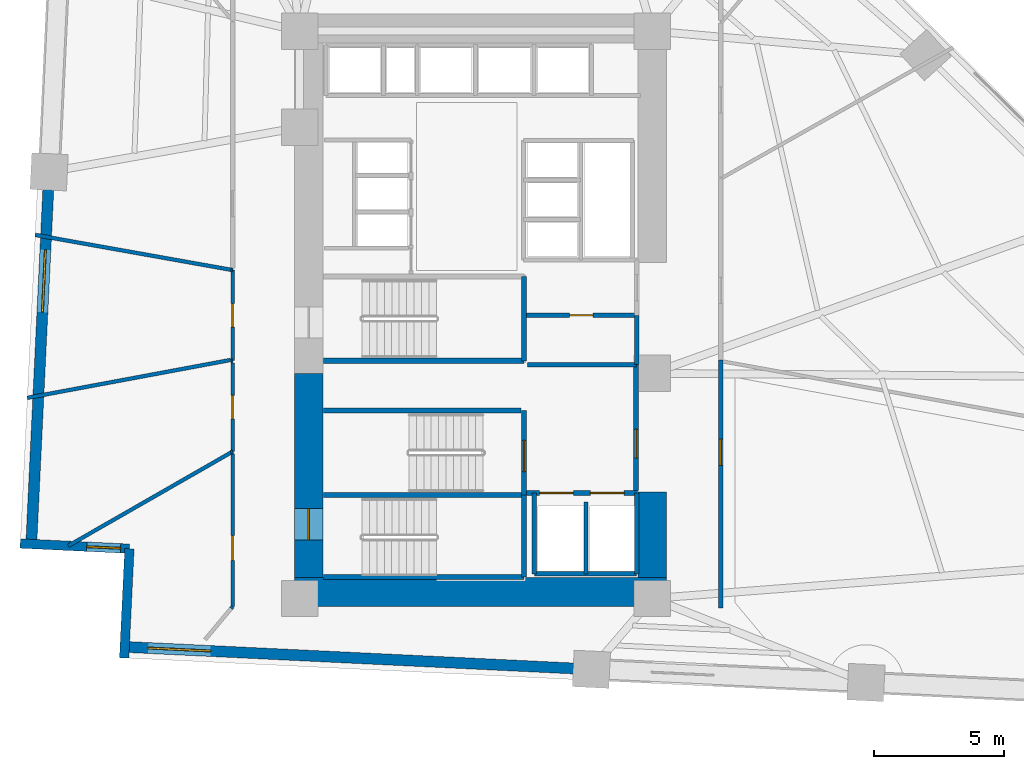
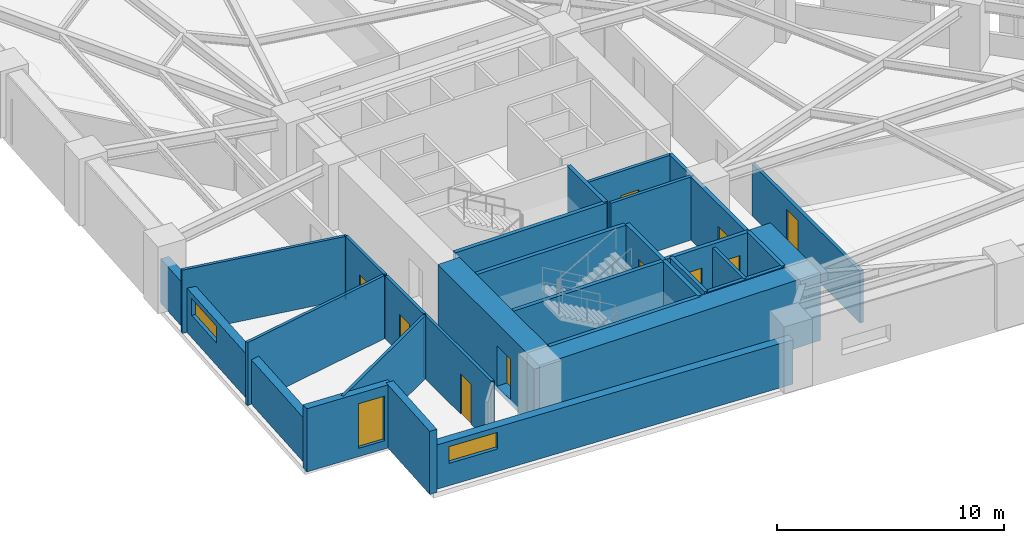
# One storey, part 13 of 17: 34 walls, 10 doors, 3 windows, 13 openings.
"""IFC4 building model written with IfcOpenShell, lengths in metres."""

from ifc_helpers import new_model, si_unit, direction, frame, frame_2d, origin, place, context, subcontext, project, spatial, rectangle, extrude, material, layer, layer_set, type_object, element, fill, save


model = new_model("IFC4")

# Units and contexts
model_context = context("Model", 3, precision=1e-05, world=origin(), true_north=direction((0.0, 1.0)))
body_context = subcontext(model_context, "Body", "Model", "MODEL_VIEW")
ifc_project = project(units=[si_unit("LENGTHUNIT", "METRE"), si_unit("AREAUNIT", "SQUARE_METRE"), si_unit("VOLUMEUNIT", "CUBIC_METRE"), si_unit("PLANEANGLEUNIT", "RADIAN"), si_unit("MASSUNIT", "GRAM", prefix="KILO")], contexts=[model_context])

# Site, building, storey
site_placement = place(None, origin())
site = spatial("IfcSite", under=ifc_project, at=site_placement, CompositionType="ELEMENT")
building_placement = place(site_placement, origin())
building = spatial("IfcBuilding", under=site, at=building_placement, Name="Narakoshi Arena Tower", CompositionType="ELEMENT")
storey_placement = place(building_placement, frame((0.0, 0.0, 37.5)))
storey = spatial("IfcBuildingStorey", under=building, at=storey_placement, Name="L09", CompositionType="ELEMENT", Elevation=37.5)

# Wall, opening, door
ifc_material_1 = material(Name="Concrete C60/75", Category="concrete")
ifc_layer_1 = layer(ifc_material_1, 1.10009765625)
ifc_layer_set_1 = layer_set([ifc_layer_1], Name="Concrete C60/75")
wall_type_1 = type_object("IfcWallType", Name="WL-CORE-1100", PredefinedType="SHEAR", material=ifc_layer_set_1)
wall_1_placement = place(storey_placement, frame((72.35009765625, 35.5, -0.260009765625), z_axis=(0.0, 0.0, 1.0), x_axis=(0.0, 1.0, 0.0)))
wall_1 = element("IfcWall", 1, at=wall_1_placement, inside=storey, type_object=wall_type_1, Name="L09 Central Core Shear Wall CW-APX-W", PredefinedType="SHEAR", context=body_context, shape_type="SweptSolid", body=[
    extrude(rectangle(XDim=7.85009765625, YDim=1.10009765625, at=frame_2d((3.925048828125, 0.0))), origin(), (0.0, 0.0, 1.0), 3.659912109375),
])
opening_1_placement = place(wall_1_placement, frame((1.449951171875, 0.0, 0.260009765625)))
opening_1 = element("IfcOpeningElement", 2, at=opening_1_placement, cuts=wall_1, Name="Opening D-03", PredefinedType="OPENING", context=body_context, shape_type="SweptSolid", body=[
    extrude(rectangle(XDim=1.199951171875, YDim=2.199951171875, at=frame_2d((0.60009765625, 1.10009765625))), frame((0.0, 0.56005859375, 0.0), z_axis=(0.0, -1.0, 0.0), x_axis=(1.0, 0.0, 0.0)), (0.0, 0.0, 1.0), 1.1201171875),
])
ifc_material_2 = material(Name="Painted galvanized steel", Category="steel")
door_type_1 = type_object("IfcDoorType", Name="DR-STR-1200", OperationType="NOTDEFINED", PredefinedType="USERDEFINED", material=ifc_material_2)
door_1_placement = place(opening_1_placement, frame((1.199951171875, 0.0, 0.0), z_axis=(0.0, 0.0, 1.0), x_axis=(-1.0, 0.0, 0.0)))
door_1 = element("IfcDoor", 3, at=door_1_placement, inside=storey, type_object=door_type_1, Name="DR-L09-002", ObjectType="EXITDOOR", OperationType="SINGLE_SWING_LEFT", OverallHeight=2.199951171875, OverallWidth=1.199951171875, PredefinedType="USERDEFINED", context=body_context, shape_type="SweptSolid", body=[
    extrude(rectangle(XDim=1.199951171875, YDim=2.199951171875, at=frame_2d((0.60009765625, 1.10009765625))), frame((0.0, 0.02490234375, 0.0), z_axis=(0.0, -1.0, 0.0), x_axis=(1.0, 0.0, 0.0)), (0.0, 0.0, 1.0), 0.050048828125),
])
fill(opening_1, door_1)

# Walls
wall_2_placement = place(storey_placement, frame((71.800048828125, 34.949951171875, -0.260009765625), z_axis=(0.0, 0.0, 1.0), x_axis=(1.0, 0.0, 0.0)))
element("IfcWall", 4, at=wall_2_placement, inside=storey, type_object=wall_type_1, Name="L09 Central Core Shear Wall CW-APX-S", PredefinedType="SHEAR", context=body_context, shape_type="SweptSolid", body=[
    extrude(rectangle(XDim=14.300048828125, YDim=1.10009765625, at=frame_2d((7.14990234375, 0.0))), origin(), (0.0, 0.0, 1.0), 3.659912109375),
])
wall_3_placement = place(storey_placement, frame((85.550048828125, 35.5, -0.260009765625), z_axis=(0.0, 0.0, 1.0), x_axis=(0.0, 1.0, 0.0)))
element("IfcWall", 5, at=wall_3_placement, inside=storey, type_object=wall_type_1, Name="L09 Central Core Shear Wall CW-APX-E", PredefinedType="SHEAR", context=body_context, shape_type="SweptSolid", body=[
    extrude(rectangle(XDim=3.300048828125, YDim=1.10009765625, at=frame_2d((1.64990234375, 0.0))), origin(), (0.0, 0.0, 1.0), 3.659912109375),
])

# Wall, opening, door
ifc_material_3 = material(Name="Gypsum plasterboard fire-rated partition")
ifc_layer_2 = layer(ifc_material_3, 0.1650390625)
ifc_layer_set_2 = layer_set([ifc_layer_2], Name="Gypsum plasterboard fire-rated partition")
wall_type_2 = type_object("IfcWallType", Name="WL-CORR-165", PredefinedType="PARTITIONING", material=ifc_layer_set_2)
wall_4_placement = place(storey_placement, frame((88.177978515625, 34.3427734375, 0.0), z_axis=(0.0, 0.0, 1.0), x_axis=(0.0, 1.0, 0.0)))
wall_4 = element("IfcWall", 6, at=wall_4_placement, inside=storey, type_object=wall_type_2, Name="L09 Corridor Partition 04-1", PredefinedType="PARTITIONING", context=body_context, shape_type="SweptSolid", body=[
    extrude(rectangle(XDim=9.515380859375, YDim=0.1650390625, at=frame_2d((4.7578125, 0.0))), origin(), (0.0, 0.0, 1.0), 2.784912109375),
])
opening_2_placement = place(wall_4_placement, frame((5.474853515625, 0.0, 0.0)))
opening_2 = element("IfcOpeningElement", 7, at=opening_2_placement, cuts=wall_4, Name="Opening D-06", PredefinedType="OPENING", context=body_context, shape_type="SweptSolid", body=[
    extrude(rectangle(XDim=1.0, YDim=2.199951171875, at=frame_2d((0.5, 1.10009765625))), frame((0.0, 0.092529296875, 0.0), z_axis=(0.0, -1.0, 0.0), x_axis=(1.0, 0.0, 0.0)), (0.0, 0.0, 1.0), 0.18505859375),
])
ifc_material_4 = material(Name="Stained oak solid-core timber", Category="wood")
door_type_2 = type_object("IfcDoorType", Name="DR-OFF-1000", OperationType="NOTDEFINED", PredefinedType="DOOR", material=ifc_material_4)
door_2_placement = place(opening_2_placement, frame((1.0, 0.0, 0.0), z_axis=(0.0, 0.0, 1.0), x_axis=(-1.0, 0.0, 0.0)))
door_2 = element("IfcDoor", 8, at=door_2_placement, inside=storey, type_object=door_type_2, Name="DR-L09-017", OperationType="SINGLE_SWING_RIGHT", OverallHeight=2.199951171875, OverallWidth=1.0, PredefinedType="DOOR", context=body_context, shape_type="SweptSolid", body=[
    extrude(rectangle(XDim=1.0, YDim=2.199951171875, at=frame_2d((0.5, 1.10009765625))), frame((0.0, 0.02490234375, 0.0), z_axis=(0.0, -1.0, 0.0), x_axis=(1.0, 0.0, 0.0)), (0.0, 0.0, 1.0), 0.050048828125),
])
fill(opening_2, door_2)

# Wall, opening, window
ifc_material_5 = material(Name="Precast concrete C45/55", Category="concrete")
ifc_layer_3 = layer(ifc_material_5, 0.419921875)
ifc_layer_set_3 = layer_set([ifc_layer_3], Name="Precast concrete C45/55")
wall_type_3 = type_object("IfcWallType", Name="WL-POD-420", PredefinedType="SOLIDWALL", material=ifc_layer_set_3)
wall_5_placement = place(storey_placement, frame((65.28076171875, 32.840576171875, 0.0), z_axis=(0.0, 0.0, 1.0), x_axis=(0.998848298084, -0.047979968897, 0.0)))
wall_5 = element("IfcWall", 9, at=wall_5_placement, inside=storey, type_object=wall_type_3, Name="L09 Architectural Concrete Facade Wall LEGA-1", PredefinedType="SOLIDWALL", context=body_context, shape_type="SweptSolid", body=[
    extrude(rectangle(XDim=17.951904296875, YDim=0.419921875, at=frame_2d((8.97607421875, 0.0))), origin(), (0.0, 0.0, 1.0), 2.385009765625),
])
opening_3_placement = place(wall_5_placement, frame((0.89990234375, 0.0, 1.199951171875)))
opening_3 = element("IfcOpeningElement", 10, at=opening_3_placement, cuts=wall_5, Name="Opening WN-01", PredefinedType="OPENING", context=body_context, shape_type="SweptSolid", body=[
    extrude(rectangle(XDim=2.39990234375, YDim=0.89990234375, at=frame_2d((1.199951171875, 0.449951171875))), frame((0.0, 0.219970703125, 0.0), z_axis=(0.0, -1.0, 0.0), x_axis=(1.0, 0.0, 0.0)), (0.0, 0.0, 1.0), 0.43994140625),
])
ifc_material_6 = material(Name="Bronze-tinted low-E laminated glass", Category="glass")
window_type_1 = type_object("IfcWindowType", Name="WIN-SLT-24x09", PartitioningType="SINGLE_PANEL", PredefinedType="WINDOW", material=ifc_material_6)
window_1_placement = place(opening_3_placement, origin())
window_1 = element("IfcWindow", 11, at=window_1_placement, inside=storey, type_object=window_type_1, Name="L09 LEGA1 Horizontal Slot Window 1", OverallHeight=0.89990234375, OverallWidth=2.39990234375, PartitioningType="SINGLE_PANEL", PredefinedType="WINDOW", context=body_context, shape_type="SweptSolid", body=[
    extrude(rectangle(XDim=2.39990234375, YDim=0.89990234375, at=frame_2d((1.199951171875, 0.449951171875))), frame((0.0, 0.030029296875, 0.0), z_axis=(0.0, -1.0, 0.0), x_axis=(1.0, 0.0, 0.0)), (0.0, 0.0, 1.0), 0.06005859375),
])
fill(opening_3, window_1)

wall_6_placement = place(storey_placement, frame((62.3779296875, 51.08984375, 0.0), z_axis=(0.0, 0.0, 1.0), x_axis=(-0.047978424452, -0.99884837227, 0.0)))
wall_6 = element("IfcWall", 12, at=wall_6_placement, inside=storey, type_object=wall_type_3, Name="L09 Architectural Concrete Facade Wall LEGB-3", PredefinedType="SOLIDWALL", context=body_context, shape_type="SweptSolid", body=[
    extrude(rectangle(XDim=14.314208984375, YDim=0.419921875, at=frame_2d((7.1572265625, 0.0))), origin(), (0.0, 0.0, 1.0), 2.385009765625),
])
opening_4_placement = place(wall_6_placement, frame((3.0, 0.0, 1.199951171875)))
opening_4 = element("IfcOpeningElement", 13, at=opening_4_placement, cuts=wall_6, Name="Opening WN-01", PredefinedType="OPENING", context=body_context, shape_type="SweptSolid", body=[
    extrude(rectangle(XDim=2.39990234375, YDim=0.89990234375, at=frame_2d((1.199951171875, 0.449951171875))), frame((0.0, 0.219970703125, 0.0), z_axis=(0.0, -1.0, 0.0), x_axis=(1.0, 0.0, 0.0)), (0.0, 0.0, 1.0), 0.43994140625),
])
window_2_placement = place(opening_4_placement, origin())
window_2 = element("IfcWindow", 14, at=window_2_placement, inside=storey, type_object=window_type_1, Name="L09 LEGB3 Horizontal Slot Window 1", OverallHeight=0.89990234375, OverallWidth=2.39990234375, PartitioningType="SINGLE_PANEL", PredefinedType="WINDOW", context=body_context, shape_type="SweptSolid", body=[
    extrude(rectangle(XDim=2.39990234375, YDim=0.89990234375, at=frame_2d((1.199951171875, 0.449951171875))), frame((0.0, 0.030029296875, 0.0), z_axis=(0.0, -1.0, 0.0), x_axis=(1.0, 0.0, 0.0)), (0.0, 0.0, 1.0), 0.06005859375),
])
fill(opening_4, window_2)

wall_7_placement = place(storey_placement, frame((61.2666015625, 36.8125, 0.0), z_axis=(0.0, 0.0, 1.0), x_axis=(0.998849519138, -0.047954542207, 0.0)))
wall_7 = element("IfcWall", 15, at=wall_7_placement, inside=storey, type_object=wall_type_3, Name="L09 Re-Entrant Corner Notch Wall NTA-1", PredefinedType="SOLIDWALL", context=body_context, shape_type="SweptSolid", body=[
    extrude(rectangle(XDim=4.2001953125, YDim=0.360107421875, at=frame_2d((2.10009765625, 0.0))), origin(), (0.0, 0.0, 1.0), 3.39990234375),
])
opening_5_placement = place(wall_7_placement, frame((2.559814453125, 0.0, 0.449951171875)))
opening_5 = element("IfcOpeningElement", 16, at=opening_5_placement, cuts=wall_7, Name="Opening WN-06", PredefinedType="OPENING", context=body_context, shape_type="SweptSolid", body=[
    extrude(rectangle(XDim=1.300048828125, YDim=2.39990234375, at=frame_2d((0.64990234375, 1.199951171875))), frame((0.0, 0.18994140625, 0.0), z_axis=(0.0, -1.0, 0.0), x_axis=(1.0, 0.0, 0.0)), (0.0, 0.0, 1.0), 0.380126953125),
])
window_type_2 = type_object("IfcWindowType", Name="WIN-NTC-16x24", PartitioningType="SINGLE_PANEL", PredefinedType="WINDOW", material=ifc_material_6)
window_3_placement = place(opening_5_placement, origin())
window_3 = element("IfcWindow", 17, at=window_3_placement, inside=storey, type_object=window_type_2, Name="L09 Corner Notch Window NTA", OverallHeight=2.39990234375, OverallWidth=1.300048828125, PartitioningType="SINGLE_PANEL", PredefinedType="WINDOW", context=body_context, shape_type="SweptSolid", body=[
    extrude(rectangle(XDim=1.300048828125, YDim=2.39990234375, at=frame_2d((0.64990234375, 1.199951171875))), frame((0.0, 0.030029296875, 0.0), z_axis=(0.0, -1.0, 0.0), x_axis=(1.0, 0.0, 0.0)), (0.0, 0.0, 1.0), 0.06005859375),
])
fill(opening_5, window_3)

# Walls
wall_8_placement = place(storey_placement, frame((65.4619140625, 36.611083984375, 0.0), z_axis=(0.0, 0.0, 1.0), x_axis=(-0.048015322758, -0.998846599224, 0.0)))
element("IfcWall", 18, at=wall_8_placement, inside=storey, type_object=wall_type_3, Name="L09 Re-Entrant Corner Notch Wall NTA-2", PredefinedType="SOLIDWALL", context=body_context, shape_type="SweptSolid", body=[
    extrude(rectangle(XDim=4.199951171875, YDim=0.360107421875, at=frame_2d((2.10009765625, 0.0))), origin(), (0.0, 0.0, 1.0), 3.39990234375),
])
ifc_material_7 = material(Name="Concrete C40/50", Category="concrete")
ifc_layer_4 = layer(ifc_material_7, 0.280029296875)
ifc_layer_set_4 = layer_set([ifc_layer_4], Name="Concrete C40/50")
wall_type_4 = type_object("IfcWallType", Name="WL-RISER-280", PredefinedType="PLUMBINGWALL", material=ifc_layer_set_4)
wall_9_placement = place(storey_placement, frame((83.0, 35.64990234375, 0.0), z_axis=(0.0, 0.0, 1.0), x_axis=(0.0, 1.0, 0.0)))
element("IfcWall", 19, at=wall_9_placement, inside=storey, type_object=wall_type_4, Name="L09 Core Wall FF-DIV", PredefinedType="PLUMBINGWALL", context=body_context, shape_type="SweptSolid", body=[
    extrude(rectangle(XDim=2.75, YDim=0.159912109375, at=frame_2d((1.375, 0.0))), origin(), (0.0, 0.0, 1.0), 3.39990234375),
])
wall_10_placement = place(storey_placement, frame((84.949951171875, 43.679931640625, 0.0), z_axis=(0.0, 0.0, 1.0), x_axis=(0.0, 1.0, 0.0)))
element("IfcWall", 20, at=wall_10_placement, inside=storey, type_object=wall_type_4, Name="L09 Core Wall RSR-E", PredefinedType="PLUMBINGWALL", context=body_context, shape_type="SweptSolid", body=[
    extrude(rectangle(XDim=1.900146484375, YDim=0.1650390625, at=frame_2d((0.9501953125, 0.0))), origin(), (0.0, 0.0, 1.0), 3.39990234375),
])

# Wall, opening, door
wall_11_placement = place(storey_placement, frame((80.719970703125, 45.580078125, 0.0), z_axis=(0.0, 0.0, 1.0), x_axis=(1.0, 0.0, 0.0)))
wall_11 = element("IfcWall", 21, at=wall_11_placement, inside=storey, type_object=wall_type_4, Name="L09 Core Wall RSR-N", PredefinedType="PLUMBINGWALL", context=body_context, shape_type="SweptSolid", body=[
    extrude(rectangle(XDim=4.22998046875, YDim=0.159912109375, at=frame_2d((2.114990234375, 0.0))), origin(), (0.0, 0.0, 1.0), 3.39990234375),
])
opening_6_placement = place(wall_11_placement, frame((1.64990234375, 0.0, 0.0)))
opening_6 = element("IfcOpeningElement", 22, at=opening_6_placement, cuts=wall_11, Name="Opening D-08", PredefinedType="OPENING", context=body_context, shape_type="SweptSolid", body=[
    extrude(rectangle(XDim=0.89990234375, YDim=2.10009765625, at=frame_2d((0.449951171875, 1.050048828125))), frame((0.0, 0.08984375, 0.0), z_axis=(0.0, -1.0, 0.0), x_axis=(1.0, 0.0, 0.0)), (0.0, 0.0, 1.0), 0.179931640625),
])
ifc_material_8 = material(Name="Moisture-resistant laminate timber", Category="wood")
door_type_3 = type_object("IfcDoorType", Name="DR-WC-900", OperationType="NOTDEFINED", PredefinedType="DOOR", material=ifc_material_8)
door_3_placement = place(opening_6_placement, frame((0.89990234375, 0.0, 0.0), z_axis=(0.0, 0.0, 1.0), x_axis=(-1.0, 0.0, 0.0)))
door_3 = element("IfcDoor", 23, at=door_3_placement, inside=storey, type_object=door_type_3, Name="DR-L09-009", OperationType="SINGLE_SWING_LEFT", OverallHeight=2.10009765625, OverallWidth=0.89990234375, PredefinedType="DOOR", context=body_context, shape_type="SweptSolid", body=[
    extrude(rectangle(XDim=0.89990234375, YDim=2.10009765625, at=frame_2d((0.449951171875, 1.050048828125))), frame((0.0, 0.02490234375, 0.0), z_axis=(0.0, -1.0, 0.0), x_axis=(1.0, 0.0, 0.0)), (0.0, 0.0, 1.0), 0.050048828125),
])
fill(opening_6, door_3)

# Walls
wall_12_placement = place(storey_placement, frame((80.760009765625, 43.679931640625, 0.0), z_axis=(0.0, 0.0, 1.0), x_axis=(1.0, 0.0, 0.0)))
element("IfcWall", 24, at=wall_12_placement, inside=storey, type_object=wall_type_4, Name="L09 Core Wall RSR-S", PredefinedType="PLUMBINGWALL", context=body_context, shape_type="SweptSolid", body=[
    extrude(rectangle(XDim=4.18994140625, YDim=0.159912109375, at=frame_2d((2.094970703125, 0.0))), origin(), (0.0, 0.0, 1.0), 3.39990234375),
])
ifc_material_9 = material(Name="Concrete C50/60", Category="concrete")
ifc_layer_5 = layer(ifc_material_9, 0.35009765625)
ifc_layer_set_5 = layer_set([ifc_layer_5], Name="Concrete C50/60")
wall_type_5 = type_object("IfcWallType", Name="WL-SHAFT-350", PredefinedType="SOLIDWALL", material=ifc_layer_set_5)
for number, where, z_axis, x_axis, name in (
    (25, (72.919921875, 35.52001953125, -0.260009765625), (0.0, 0.0, 1.0), (1.0, 0.0, 0.0), "L09 Core Wall ST1-S"),
    (26, (72.919921875, 38.675048828125, -0.260009765625), (0.0, 0.0, 1.0), (1.0, 0.0, 0.0), "L09 Core Wall ST12-DIV"),
):
    element("IfcWall", number, at=place(storey_placement, frame(where, z_axis=z_axis, x_axis=x_axis)), inside=storey, type_object=wall_type_5, Name=name, PredefinedType="SOLIDWALL", context=body_context, shape_type="SweptSolid", body=[
        extrude(rectangle(XDim=7.7001953125, YDim=0.199951171875, at=frame_2d((3.85009765625, 0.0))), origin(), (0.0, 0.0, 1.0), 3.659912109375),
    ])
wall_13_placement = place(storey_placement, frame((80.6201171875, 35.52001953125, -0.260009765625), z_axis=(0.0, 0.0, 1.0), x_axis=(0.0, 1.0, 0.0)))
element("IfcWall", 27, at=wall_13_placement, inside=storey, type_object=wall_type_5, Name="L09 Core Wall ST1-E", PredefinedType="SOLIDWALL", context=body_context, shape_type="SweptSolid", body=[
    extrude(rectangle(XDim=3.155029296875, YDim=0.199951171875, at=frame_2d((1.57763671875, 0.0))), origin(), (0.0, 0.0, 1.0), 3.659912109375),
])

# Wall, opening, door
wall_14_placement = place(storey_placement, frame((80.6201171875, 38.675048828125, -0.260009765625), z_axis=(0.0, 0.0, 1.0), x_axis=(0.0, 1.0, 0.0)))
wall_14 = element("IfcWall", 28, at=wall_14_placement, inside=storey, type_object=wall_type_5, Name="L09 Core Wall ST2-E", PredefinedType="SOLIDWALL", context=body_context, shape_type="SweptSolid", body=[
    extrude(rectangle(XDim=3.244873046875, YDim=0.199951171875, at=frame_2d((1.62255859375, 0.0))), origin(), (0.0, 0.0, 1.0), 3.659912109375),
])
opening_7_placement = place(wall_14_placement, frame((0.89990234375, 0.0, 0.260009765625)))
opening_7 = element("IfcOpeningElement", 29, at=opening_7_placement, cuts=wall_14, Name="Opening D-03", PredefinedType="OPENING", context=body_context, shape_type="SweptSolid", body=[
    extrude(rectangle(XDim=1.199951171875, YDim=2.199951171875, at=frame_2d((0.60009765625, 1.10009765625))), frame((0.0, 0.10986328125, 0.0), z_axis=(0.0, -1.0, 0.0), x_axis=(1.0, 0.0, 0.0)), (0.0, 0.0, 1.0), 0.219970703125),
])
door_4_placement = place(opening_7_placement, origin())
door_4 = element("IfcDoor", 30, at=door_4_placement, inside=storey, type_object=door_type_1, Name="DR-L09-003", ObjectType="EXITDOOR", OperationType="SINGLE_SWING_RIGHT", OverallHeight=2.199951171875, OverallWidth=1.199951171875, PredefinedType="USERDEFINED", context=body_context, shape_type="SweptSolid", body=[
    extrude(rectangle(XDim=1.199951171875, YDim=2.199951171875, at=frame_2d((0.60009765625, 1.10009765625))), frame((0.0, 0.02490234375, 0.0), z_axis=(0.0, -1.0, 0.0), x_axis=(1.0, 0.0, 0.0)), (0.0, 0.0, 1.0), 0.050048828125),
])
fill(opening_7, door_4)

# Wall, openings, doors
wall_15_placement = place(storey_placement, frame((80.719970703125, 38.75, 0.0), z_axis=(0.0, 0.0, 1.0), x_axis=(1.0, 0.0, 0.0)))
wall_15 = element("IfcWall", 31, at=wall_15_placement, inside=storey, type_object=wall_type_5, Name="L09 Core Wall FF-N", PredefinedType="SOLIDWALL", context=body_context, shape_type="SweptSolid", body=[
    extrude(rectangle(XDim=4.260009765625, YDim=0.199951171875, at=frame_2d((2.1298828125, 0.0))), origin(), (0.0, 0.0, 1.0), 3.39990234375),
])
opening_8_placement = place(wall_15_placement, frame((0.5, 0.0, 0.0)))
opening_8 = element("IfcOpeningElement", 32, at=opening_8_placement, cuts=wall_15, Name="Opening LD-02", PredefinedType="OPENING", context=body_context, shape_type="SweptSolid", body=[
    extrude(rectangle(XDim=1.300048828125, YDim=2.300048828125, at=frame_2d((0.64990234375, 1.14990234375))), frame((0.0, 0.10986328125, 0.0), z_axis=(0.0, -1.0, 0.0), x_axis=(1.0, 0.0, 0.0)), (0.0, 0.0, 1.0), 0.219970703125),
])
opening_9_placement = place(wall_15_placement, frame((2.449951171875, 0.0, 0.0)))
opening_9 = element("IfcOpeningElement", 33, at=opening_9_placement, cuts=wall_15, Name="Opening LD-02", PredefinedType="OPENING", context=body_context, shape_type="SweptSolid", body=[
    extrude(rectangle(XDim=1.300048828125, YDim=2.300048828125, at=frame_2d((0.64990234375, 1.14990234375))), frame((0.0, 0.10986328125, 0.0), z_axis=(0.0, -1.0, 0.0), x_axis=(1.0, 0.0, 0.0)), (0.0, 0.0, 1.0), 0.219970703125),
])
ifc_material_10 = material(Name="Brushed bronze stainless steel", Category="steel")
door_type_4 = type_object("IfcDoorType", Name="DR-LFT-1300", OperationType="DOUBLE_DOOR_SLIDING", PredefinedType="DOOR", material=ifc_material_10)
door_5_placement = place(opening_8_placement, origin())
door_5 = element("IfcDoor", 34, at=door_5_placement, inside=storey, type_object=door_type_4, Name="DR-L09-004", OperationType="DOUBLE_DOOR_SLIDING", OverallHeight=2.300048828125, OverallWidth=1.300048828125, PredefinedType="DOOR", context=body_context, shape_type="SweptSolid", body=[
    extrude(rectangle(XDim=1.300048828125, YDim=2.300048828125, at=frame_2d((0.64990234375, 1.14990234375))), frame((0.0, 0.02490234375, 0.0), z_axis=(0.0, -1.0, 0.0), x_axis=(1.0, 0.0, 0.0)), (0.0, 0.0, 1.0), 0.050048828125),
])
fill(opening_8, door_5)
door_6_placement = place(opening_9_placement, origin())
door_6 = element("IfcDoor", 35, at=door_6_placement, inside=storey, type_object=door_type_4, Name="DR-L09-005", OperationType="DOUBLE_DOOR_SLIDING", OverallHeight=2.300048828125, OverallWidth=1.300048828125, PredefinedType="DOOR", context=body_context, shape_type="SweptSolid", body=[
    extrude(rectangle(XDim=1.300048828125, YDim=2.300048828125, at=frame_2d((0.64990234375, 1.14990234375))), frame((0.0, 0.02490234375, 0.0), z_axis=(0.0, -1.0, 0.0), x_axis=(1.0, 0.0, 0.0)), (0.0, 0.0, 1.0), 0.050048828125),
])
fill(opening_9, door_6)

# Walls
for number, where, z_axis, x_axis, name in (
    (36, (84.949951171875, 35.64990234375, 0.0), (0.0, 0.0, 1.0), (0.0, 1.0, 0.0), "L09 Core Wall FF-E"),
    (37, (81.02001953125, 35.64990234375, 0.0), (0.0, 0.0, 1.0), (0.0, 1.0, 0.0), "L09 Core Wall FF-W"),
):
    element("IfcWall", number, at=place(storey_placement, frame(where, z_axis=z_axis, x_axis=x_axis)), inside=storey, type_object=wall_type_5, Name=name, PredefinedType="SOLIDWALL", context=body_context, shape_type="SweptSolid", body=[
        extrude(rectangle(XDim=3.10009765625, YDim=0.179931640625, at=frame_2d((1.550048828125, 0.0))), origin(), (0.0, 0.0, 1.0), 3.39990234375),
    ])
wall_16_placement = place(storey_placement, frame((81.02001953125, 35.64990234375, 0.0), z_axis=(0.0, 0.0, 1.0), x_axis=(1.0, 0.0, 0.0)))
element("IfcWall", 38, at=wall_16_placement, inside=storey, type_object=wall_type_5, Name="L09 Core Wall FF-S", PredefinedType="SOLIDWALL", context=body_context, shape_type="SweptSolid", body=[
    extrude(rectangle(XDim=3.929931640625, YDim=0.179931640625, at=frame_2d((1.96484375, 0.0))), origin(), (0.0, 0.0, 1.0), 3.39990234375),
])

# Wall, opening, door
wall_17_placement = place(storey_placement, frame((84.919921875, 38.85009765625, 0.0), z_axis=(0.0, 0.0, 1.0), x_axis=(0.0, 1.0, 0.0)))
wall_17 = element("IfcWall", 39, at=wall_17_placement, inside=storey, type_object=wall_type_5, Name="L09 Core Wall FFLOB-E", PredefinedType="SOLIDWALL", context=body_context, shape_type="SweptSolid", body=[
    extrude(rectangle(XDim=4.829833984375, YDim=0.199951171875, at=frame_2d((2.4150390625, 0.0))), origin(), (0.0, 0.0, 1.0), 3.39990234375),
])
opening_10_placement = place(wall_17_placement, frame((1.25, 0.0, 0.0)))
opening_10 = element("IfcOpeningElement", 40, at=opening_10_placement, cuts=wall_17, Name="Opening D-04", PredefinedType="OPENING", context=body_context, shape_type="SweptSolid", body=[
    extrude(rectangle(XDim=1.10009765625, YDim=2.199951171875, at=frame_2d((0.550048828125, 1.10009765625))), frame((0.0, 0.10986328125, 0.0), z_axis=(0.0, -1.0, 0.0), x_axis=(1.0, 0.0, 0.0)), (0.0, 0.0, 1.0), 0.219970703125),
])
door_type_5 = type_object("IfcDoorType", Name="DR-FFL-1100", OperationType="NOTDEFINED", PredefinedType="DOOR", material=ifc_material_2)
door_7_placement = place(opening_10_placement, frame((1.10009765625, 0.0, 0.0), z_axis=(0.0, 0.0, 1.0), x_axis=(-1.0, 0.0, 0.0)))
door_7 = element("IfcDoor", 41, at=door_7_placement, inside=storey, type_object=door_type_5, Name="DR-L09-006", OperationType="SINGLE_SWING_RIGHT", OverallHeight=2.199951171875, OverallWidth=1.10009765625, PredefinedType="DOOR", context=body_context, shape_type="SweptSolid", body=[
    extrude(rectangle(XDim=1.10009765625, YDim=2.199951171875, at=frame_2d((0.550048828125, 1.10009765625))), frame((0.0, 0.02490234375, 0.0), z_axis=(0.0, -1.0, 0.0), x_axis=(1.0, 0.0, 0.0)), (0.0, 0.0, 1.0), 0.050048828125),
])
fill(opening_10, door_7)

# Walls
wall_18_placement = place(storey_placement, frame((72.919921875, 41.919921875, -0.260009765625), z_axis=(0.0, 0.0, 1.0), x_axis=(1.0, 0.0, 0.0)))
element("IfcWall", 42, at=wall_18_placement, inside=storey, type_object=wall_type_5, Name="L09 Core Wall ST2-N", PredefinedType="SOLIDWALL", context=body_context, shape_type="SweptSolid", body=[
    extrude(rectangle(XDim=7.580078125, YDim=0.199951171875, at=frame_2d((3.7900390625, 0.0))), origin(), (0.0, 0.0, 1.0), 3.659912109375),
])
wall_19_placement = place(storey_placement, frame((72.919921875, 43.830078125, -0.260009765625), z_axis=(0.0, 0.0, 1.0), x_axis=(1.0, 0.0, 0.0)))
element("IfcWall", 43, at=wall_19_placement, inside=storey, type_object=wall_type_5, Name="L09 Core Wall ST3-S", PredefinedType="SOLIDWALL", context=body_context, shape_type="SweptSolid", body=[
    extrude(rectangle(XDim=7.7001953125, YDim=0.199951171875, at=frame_2d((3.85009765625, 0.0))), origin(), (0.0, 0.0, 1.0), 3.659912109375),
])
wall_20_placement = place(storey_placement, frame((80.6201171875, 43.830078125, -0.260009765625), z_axis=(0.0, 0.0, 1.0), x_axis=(0.0, 1.0, 0.0)))
element("IfcWall", 44, at=wall_20_placement, inside=storey, type_object=wall_type_5, Name="L09 Core Wall ST3-E", PredefinedType="SOLIDWALL", context=body_context, shape_type="SweptSolid", body=[
    extrude(rectangle(XDim=3.239990234375, YDim=0.199951171875, at=frame_2d((1.6201171875, 0.0))), origin(), (0.0, 0.0, 1.0), 3.659912109375),
])

# Wall, opening, door
ifc_material_11 = material(Name="Moisture-resistant cement-board partition")
ifc_layer_6 = layer(ifc_material_11, 0.14501953125)
ifc_layer_set_6 = layer_set([ifc_layer_6], Name="Moisture-resistant cement-board partition")
wall_type_6 = type_object("IfcWallType", Name="WL-WET-145", PredefinedType="PARTITIONING", material=ifc_layer_set_6)
wall_21_placement = place(storey_placement, frame((69.427490234375, 47.31640625, 0.0), z_axis=(0.0, 0.0, 1.0), x_axis=(0.0, -1.0, 0.0)))
wall_21 = element("IfcWall", 45, at=wall_21_placement, inside=storey, type_object=wall_type_6, Name="L09 Corridor Partition 01-1", PredefinedType="PARTITIONING", context=body_context, shape_type="SweptSolid", body=[
    extrude(rectangle(XDim=3.474365234375, YDim=0.14501953125, at=frame_2d((1.7373046875, 0.0))), origin(), (0.0, 0.0, 1.0), 3.39990234375),
])
opening_11_placement = place(wall_21_placement, frame((1.287109375, 0.0, 0.0)))
opening_11 = element("IfcOpeningElement", 46, at=opening_11_placement, cuts=wall_21, Name="Opening D-08", PredefinedType="OPENING", context=body_context, shape_type="SweptSolid", body=[
    extrude(rectangle(XDim=0.89990234375, YDim=2.10009765625, at=frame_2d((0.449951171875, 1.050048828125))), frame((0.0, 0.08251953125, 0.0), z_axis=(0.0, -1.0, 0.0), x_axis=(1.0, 0.0, 0.0)), (0.0, 0.0, 1.0), 0.1650390625),
])
door_8_placement = place(opening_11_placement, frame((0.89990234375, 0.0, 0.0), z_axis=(0.0, 0.0, 1.0), x_axis=(-1.0, 0.0, 0.0)))
door_8 = element("IfcDoor", 47, at=door_8_placement, inside=storey, type_object=door_type_3, Name="DR-L09-014", OperationType="SINGLE_SWING_RIGHT", OverallHeight=2.10009765625, OverallWidth=0.89990234375, PredefinedType="DOOR", context=body_context, shape_type="SweptSolid", body=[
    extrude(rectangle(XDim=0.89990234375, YDim=2.10009765625, at=frame_2d((0.449951171875, 1.050048828125))), frame((0.0, 0.02490234375, 0.0), z_axis=(0.0, -1.0, 0.0), x_axis=(1.0, 0.0, 0.0)), (0.0, 0.0, 1.0), 0.050048828125),
])
fill(opening_11, door_8)

# Walls
for number, where, z_axis, x_axis, name in (
    (48, (69.427490234375, 43.842041015625, 0.0), (0.0, 0.0, 1.0), (-0.982962539049, -0.183806003237, 0.0), "L09 Corridor Partition 01-2"),
    (49, (69.367431640625, 47.327392578125, 0.0), (0.0, 0.0, 1.0), (0.983677406707, -0.179940989032, 0.0), "L09 Corridor Partition 01-3"),
):
    element("IfcWall", number, at=place(storey_placement, frame(where, z_axis=z_axis, x_axis=x_axis)), inside=storey, type_object=wall_type_6, Name=name, PredefinedType="PARTITIONING", context=body_context, shape_type="SweptSolid", body=[
        extrude(rectangle(XDim=0.06103515625, YDim=0.14501953125, at=frame_2d((0.030517578125, 0.0))), origin(), (0.0, 0.0, 1.0), 3.39990234375),
    ])
wall_22_placement = place(storey_placement, frame((69.343017578125, 43.862060546875, 0.0), z_axis=(0.0, 0.0, 1.0), x_axis=(-0.983073439114, -0.183211935495, 0.0)))
element("IfcWall", 50, at=wall_22_placement, inside=storey, type_object=wall_type_6, Name="L09 Inter-Room Partition 01-02", PredefinedType="PARTITIONING", context=body_context, shape_type="SweptSolid", body=[
    extrude(rectangle(XDim=7.942138671875, YDim=0.14501953125, at=frame_2d((3.97119140625, 0.0))), origin(), (0.0, 0.0, 1.0), 3.39990234375),
])
wall_23_placement = place(storey_placement, frame((61.836181640625, 48.6689453125, 0.0), z_axis=(0.0, 0.0, 1.0), x_axis=(0.984496929418, -0.175401812892, 0.0)))
element("IfcWall", 51, at=wall_23_placement, inside=storey, type_object=wall_type_6, Name="L09 Inter-Room Partition 01-09", PredefinedType="PARTITIONING", context=body_context, shape_type="SweptSolid", body=[
    extrude(rectangle(XDim=7.64990234375, YDim=0.14501953125, at=frame_2d((3.824951171875, 0.0))), origin(), (0.0, 0.0, 1.0), 3.39990234375),
])

# Wall, opening, door
wall_24_placement = place(storey_placement, frame((69.427490234375, 43.756103515625, 0.0), z_axis=(0.0, 0.0, 1.0), x_axis=(0.0, -1.0, 0.0)))
wall_24 = element("IfcWall", 52, at=wall_24_placement, inside=storey, type_object=wall_type_6, Name="L09 Corridor Partition 02-1", PredefinedType="PARTITIONING", context=body_context, shape_type="SweptSolid", body=[
    extrude(rectangle(XDim=3.41259765625, YDim=0.14501953125, at=frame_2d((1.706298828125, 0.0))), origin(), (0.0, 0.0, 1.0), 3.39990234375),
])
opening_12_placement = place(wall_24_placement, frame((1.25634765625, 0.0, 0.0)))
opening_12 = element("IfcOpeningElement", 53, at=opening_12_placement, cuts=wall_24, Name="Opening D-08", PredefinedType="OPENING", context=body_context, shape_type="SweptSolid", body=[
    extrude(rectangle(XDim=0.89990234375, YDim=2.10009765625, at=frame_2d((0.449951171875, 1.050048828125))), frame((0.0, 0.08251953125, 0.0), z_axis=(0.0, -1.0, 0.0), x_axis=(1.0, 0.0, 0.0)), (0.0, 0.0, 1.0), 0.1650390625),
])
door_9_placement = place(opening_12_placement, frame((0.89990234375, 0.0, 0.0), z_axis=(0.0, 0.0, 1.0), x_axis=(-1.0, 0.0, 0.0)))
door_9 = element("IfcDoor", 54, at=door_9_placement, inside=storey, type_object=door_type_3, Name="DR-L09-015", OperationType="SINGLE_SWING_LEFT", OverallHeight=2.10009765625, OverallWidth=0.89990234375, PredefinedType="DOOR", context=body_context, shape_type="SweptSolid", body=[
    extrude(rectangle(XDim=0.89990234375, YDim=2.10009765625, at=frame_2d((0.449951171875, 1.050048828125))), frame((0.0, 0.02490234375, 0.0), z_axis=(0.0, -1.0, 0.0), x_axis=(1.0, 0.0, 0.0)), (0.0, 0.0, 1.0), 0.050048828125),
])
fill(opening_12, door_9)

# Walls
wall_25_placement = place(storey_placement, frame((69.427490234375, 40.343505859375, 0.0), z_axis=(0.0, 0.0, 1.0), x_axis=(-0.872143041114, -0.489250974283, 0.0)))
element("IfcWall", 55, at=wall_25_placement, inside=storey, type_object=wall_type_6, Name="L09 Corridor Partition 02-2", PredefinedType="PARTITIONING", context=body_context, shape_type="SweptSolid", body=[
    extrude(rectangle(XDim=0.06884765625, YDim=0.14501953125, at=frame_2d((0.034423828125, 0.0))), origin(), (0.0, 0.0, 1.0), 3.39990234375),
])
wall_26_placement = place(storey_placement, frame((69.367919921875, 40.30908203125, 0.0), z_axis=(0.0, 0.0, 1.0), x_axis=(-0.86758594892, -0.497287262291, 0.0)))
element("IfcWall", 56, at=wall_26_placement, inside=storey, type_object=wall_type_6, Name="L09 Inter-Room Partition 02-03", PredefinedType="PARTITIONING", context=body_context, shape_type="SweptSolid", body=[
    extrude(rectangle(XDim=7.20947265625, YDim=0.14501953125, at=frame_2d((3.604736328125, 0.0))), origin(), (0.0, 0.0, 1.0), 3.39990234375),
])

# Wall, opening, door
wall_27_placement = place(storey_placement, frame((69.427490234375, 40.24658203125, 0.0), z_axis=(0.0, 0.0, 1.0), x_axis=(0.0, -1.0, 0.0)))
wall_27 = element("IfcWall", 57, at=wall_27_placement, inside=storey, type_object=wall_type_6, Name="L09 Corridor Partition 03-1", PredefinedType="PARTITIONING", context=body_context, shape_type="SweptSolid", body=[
    extrude(rectangle(XDim=5.857177734375, YDim=0.14501953125, at=frame_2d((2.9287109375, 0.0))), origin(), (0.0, 0.0, 1.0), 3.39990234375),
])
opening_13_placement = place(wall_27_placement, frame((3.129638671875, 0.0, 0.0)))
opening_13 = element("IfcOpeningElement", 58, at=opening_13_placement, cuts=wall_27, Name="Opening D-07", PredefinedType="OPENING", context=body_context, shape_type="SweptSolid", body=[
    extrude(rectangle(XDim=0.949951171875, YDim=2.14990234375, at=frame_2d((0.47509765625, 1.074951171875))), frame((0.0, 0.08251953125, 0.0), z_axis=(0.0, -1.0, 0.0), x_axis=(1.0, 0.0, 0.0)), (0.0, 0.0, 1.0), 0.1650390625),
])
door_type_6 = type_object("IfcDoorType", Name="DR-ACC-950", OperationType="NOTDEFINED", PredefinedType="DOOR", material=ifc_material_4)
door_10_placement = place(opening_13_placement, frame((0.949951171875, 0.0, 0.0), z_axis=(0.0, 0.0, 1.0), x_axis=(-1.0, 0.0, 0.0)))
door_10 = element("IfcDoor", 59, at=door_10_placement, inside=storey, type_object=door_type_6, Name="DR-L09-016", OperationType="SINGLE_SWING_LEFT", OverallHeight=2.14990234375, OverallWidth=0.949951171875, PredefinedType="DOOR", context=body_context, shape_type="SweptSolid", body=[
    extrude(rectangle(XDim=0.949951171875, YDim=2.14990234375, at=frame_2d((0.47509765625, 1.074951171875))), frame((0.0, 0.02490234375, 0.0), z_axis=(0.0, -1.0, 0.0), x_axis=(1.0, 0.0, 0.0)), (0.0, 0.0, 1.0), 0.050048828125),
])
fill(opening_13, door_10)

# Wall
wall_28_placement = place(storey_placement, frame((69.427490234375, 34.389404296875, 0.0), z_axis=(0.0, 0.0, 1.0), x_axis=(-0.641722632674, -0.766936804903, 0.0)))
element("IfcWall", 60, at=wall_28_placement, inside=storey, type_object=wall_type_6, Name="L09 Corridor Partition 03-2", PredefinedType="PARTITIONING", context=body_context, shape_type="SweptSolid", body=[
    extrude(rectangle(XDim=0.093505859375, YDim=0.14501953125, at=frame_2d((0.046875, 0.0))), origin(), (0.0, 0.0, 1.0), 3.39990234375),
])

save(model, "model.ifc")
